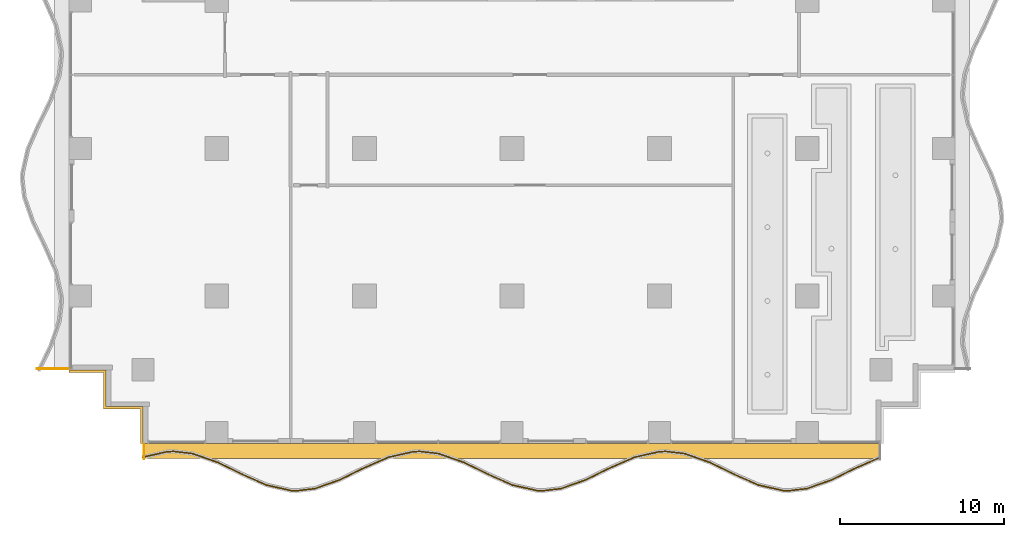
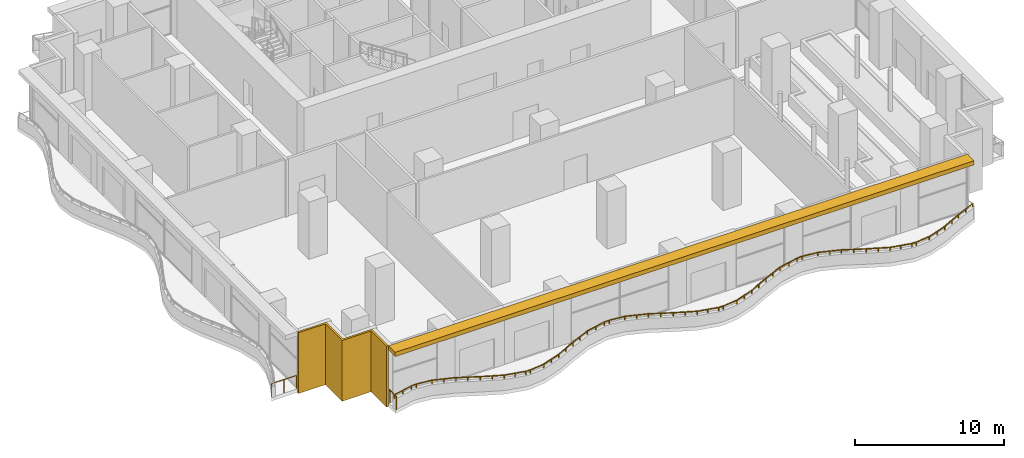
# One storey, part 11 of 18: 3 railings, 2 shading devices.
"""IFC4 building model written with IfcOpenShell, lengths in metres."""

from ifc_helpers import new_model, si_unit, direction, frame, origin, origin_2d, place, context, subcontext, project, spatial, polyline, rectangle, outline, extrude, material, layer, layer_set, type_object, element, save


model = new_model("IFC4")

# Units and contexts
model_context = context("Model", 3, precision=1e-05, world=origin(), true_north=direction((0.0, 1.0)))
body_context = subcontext(model_context, "Body", "Model", "MODEL_VIEW")
ifc_project = project(units=[si_unit("LENGTHUNIT", "METRE"), si_unit("AREAUNIT", "SQUARE_METRE"), si_unit("VOLUMEUNIT", "CUBIC_METRE"), si_unit("PLANEANGLEUNIT", "RADIAN"), si_unit("MASSUNIT", "GRAM", prefix="KILO")], contexts=[model_context])

# Site, building, storey
site_placement = place(None, origin())
site = spatial("IfcSite", under=ifc_project, at=site_placement, CompositionType="ELEMENT")
building_placement = place(site_placement, origin())
building = spatial("IfcBuilding", under=site, at=building_placement, Name="Orbiselva Terraces", CompositionType="ELEMENT")
storey_placement = place(building_placement, frame((0.0, 0.0, 64.4)))
storey = spatial("IfcBuildingStorey", under=building, at=storey_placement, Name="L16", CompositionType="ELEMENT", Elevation=64.4)

# Railings
ifc_material_1 = material(Name="Bonded two-ply safety glass balustrade, stainless steel posts", Category="steel")
railing_type_1 = type_object("IfcRailingType", Name="ENV-BALUSTRADE-1200", PredefinedType="BALUSTRADE", material=ifc_material_1)
railing_1_placement = place(storey_placement, frame((-22.527377, -23.329507, 0.9)))
element("IfcRailing", 1, at=railing_1_placement, inside=storey, type_object=railing_type_1, Name="Balcony balustrade L16 S", PredefinedType="BALUSTRADE", context=body_context, shape_type="SweptSolid", body=[
    extrude(outline(polyline([(0.028868, 0.0), (0.014434, 0.025), (-0.014434, 0.025), (-0.028868, 0.0), (-0.014434, -0.025), (0.014434, -0.025), (0.028868, 0.0)])), frame((0.0, 0.0, 0.275), z_axis=(0.97572138316, 0.219015484484, 0.0), x_axis=(-0.219015484484, 0.97572138316, 0.0)), (0.0, 0.0, 1.0), 1.548694),
    extrude(outline(polyline([(0.028868, 0.0), (0.014434, 0.025), (-0.014434, 0.025), (-0.028868, 0.0), (-0.014434, -0.025), (0.014434, -0.025), (0.028868, 0.0)])), frame((1.511094, 0.339188, 0.275), z_axis=(0.999224734286, 0.03936915532, 0.0), x_axis=(-0.03936915532, 0.999224734286, 0.0)), (0.0, 0.0, 1.0), 0.396376),
    extrude(outline(polyline([(0.028868, 0.0), (0.014434, 0.025), (-0.014434, 0.025), (-0.028868, 0.0), (-0.014434, -0.025), (0.014434, -0.025), (0.028868, 0.0)])), frame((1.907163, 0.354793, 0.275), z_axis=(0.993309551734, -0.115482182324, 0.0), x_axis=(0.115482182324, 0.993309551734, 0.0)), (0.0, 0.0, 1.0), 1.156135),
    extrude(outline(polyline([(0.028868, 0.0), (0.014434, 0.025), (-0.014434, 0.025), (-0.028868, 0.0), (-0.014434, -0.025), (0.014434, -0.025), (0.028868, 0.0)])), frame((3.055563, 0.22128, 0.275), z_axis=(0.943972332783, -0.330024597479, 0.0), x_axis=(0.330024597479, 0.943972332783, 0.0)), (0.0, 0.0, 1.0), 1.610253),
    extrude(outline(polyline([(0.028868, 0.0), (0.014434, 0.025), (-0.014434, 0.025), (-0.028868, 0.0), (-0.014434, -0.025), (0.014434, -0.025), (0.028868, 0.0)])), frame((4.575597, -0.310143, 0.275), z_axis=(0.898578870221, -0.438812048596, 0.0), x_axis=(0.438812048596, 0.898578870221, 0.0)), (0.0, 0.0, 1.0), 1.674225),
    extrude(outline(polyline([(0.028868, 0.0), (0.014434, 0.025), (-0.014434, 0.025), (-0.028868, 0.0), (-0.014434, -0.025), (0.014434, -0.025), (0.028868, 0.0)])), frame((6.08002, -1.044813, 0.275), z_axis=(0.915133363686, -0.403151245402, 0.0), x_axis=(0.403151245402, 0.915133363686, 0.0)), (0.0, 0.0, 1.0), 1.624475),
    extrude(outline(polyline([(0.028868, 0.0), (0.014434, 0.025), (-0.014434, 0.025), (-0.028868, 0.0), (-0.014434, -0.025), (0.014434, -0.025), (0.028868, 0.0)])), frame((7.566631, -1.699722, 0.275), z_axis=(0.975721325753, -0.219015740235, 0.0), x_axis=(0.219015740235, 0.975721325753, 0.0)), (0.0, 0.0, 1.0), 1.513782),
    extrude(outline(polyline([(0.028868, 0.0), (0.014434, 0.025), (-0.014434, 0.025), (-0.028868, 0.0), (-0.014434, -0.025), (0.014434, -0.025), (0.028868, 0.0)])), frame((9.04366, -2.031264, 0.275), z_axis=(0.999224931454, -0.039364150694, 0.0), x_axis=(0.039364150694, 0.999224931454, 0.0)), (0.0, 0.0, 1.0), 0.354206),
    extrude(outline(polyline([(0.028868, 0.0), (0.014434, 0.025), (-0.014434, 0.025), (-0.028868, 0.0), (-0.014434, -0.025), (0.014434, -0.025), (0.028868, 0.0)])), frame((9.397591, -2.045207, 0.275), z_axis=(0.993309658409, 0.115481264762, 0.0), x_axis=(-0.115481264762, 0.993309658409, 0.0)), (0.0, 0.0, 1.0), 1.10902),
    extrude(outline(polyline([(0.028868, 0.0), (0.014434, 0.025), (-0.014434, 0.025), (-0.028868, 0.0), (-0.014434, -0.025), (0.014434, -0.025), (0.028868, 0.0)])), frame((10.499191, -1.917136, 0.275), z_axis=(0.943972277814, 0.330024754707, 0.0), x_axis=(-0.330024754707, 0.943972277814, 0.0)), (0.0, 0.0, 1.0), 1.567807),
    extrude(outline(polyline([(0.028868, 0.0), (0.014434, 0.025), (-0.014434, 0.025), (-0.028868, 0.0), (-0.014434, -0.025), (0.014434, -0.025), (0.028868, 0.0)])), frame((11.979157, -1.399721, 0.275), z_axis=(0.89857890432, 0.438811978768, 0.0), x_axis=(-0.438811978768, 0.89857890432, 0.0)), (0.0, 0.0, 1.0), 1.66438),
    extrude(outline(polyline([(0.028868, 0.0), (0.014434, 0.025), (-0.014434, 0.025), (-0.028868, 0.0), (-0.014434, -0.025), (0.014434, -0.025), (0.028868, 0.0)])), frame((13.474734, -0.669371, 0.275), z_axis=(0.915133527237, 0.403150874148, 0.0), x_axis=(-0.403150874148, 0.915133527237, 0.0)), (0.0, 0.0, 1.0), 1.653736),
    extrude(outline(polyline([(0.028868, 0.0), (0.014434, 0.025), (-0.014434, 0.025), (-0.028868, 0.0), (-0.014434, -0.025), (0.014434, -0.025), (0.028868, 0.0)])), frame((14.988123, -0.002666, 0.275), z_axis=(0.97572137947, 0.219015500924, 0.0), x_axis=(-0.219015500924, 0.97572137947, 0.0)), (0.0, 0.0, 1.0), 1.560867),
    extrude(outline(polyline([(0.028868, 0.0), (0.014434, 0.025), (-0.014434, 0.025), (-0.028868, 0.0), (-0.014434, -0.025), (0.014434, -0.025), (0.028868, 0.0)])), frame((16.511094, 0.339188, 0.275), z_axis=(0.999224734286, 0.03936915532, 0.0), x_axis=(-0.03936915532, 0.999224734286, 0.0)), (0.0, 0.0, 1.0), 0.396376),
    extrude(outline(polyline([(0.028868, 0.0), (0.014434, 0.025), (-0.014434, 0.025), (-0.028868, 0.0), (-0.014434, -0.025), (0.014434, -0.025), (0.028868, 0.0)])), frame((16.907163, 0.354793, 0.275), z_axis=(0.993309551734, -0.115482182324, 0.0), x_axis=(0.115482182324, 0.993309551734, 0.0)), (0.0, 0.0, 1.0), 1.156135),
    extrude(outline(polyline([(0.028868, 0.0), (0.014434, 0.025), (-0.014434, 0.025), (-0.028868, 0.0), (-0.014434, -0.025), (0.014434, -0.025), (0.028868, 0.0)])), frame((18.055563, 0.22128, 0.275), z_axis=(0.943972332783, -0.330024597479, 0.0), x_axis=(0.330024597479, 0.943972332783, 0.0)), (0.0, 0.0, 1.0), 1.610253),
    extrude(outline(polyline([(0.028868, 0.0), (0.014434, 0.025), (-0.014434, 0.025), (-0.028868, 0.0), (-0.014434, -0.025), (0.014434, -0.025), (0.028868, 0.0)])), frame((19.575597, -0.310143, 0.275), z_axis=(0.898578870221, -0.438812048596, 0.0), x_axis=(0.438812048596, 0.898578870221, 0.0)), (0.0, 0.0, 1.0), 1.674225),
    extrude(outline(polyline([(0.028868, 0.0), (0.014434, 0.025), (-0.014434, 0.025), (-0.028868, 0.0), (-0.014434, -0.025), (0.014434, -0.025), (0.028868, 0.0)])), frame((21.08002, -1.044813, 0.275), z_axis=(0.915133363686, -0.403151245402, 0.0), x_axis=(0.403151245402, 0.915133363686, 0.0)), (0.0, 0.0, 1.0), 1.624475),
    extrude(outline(polyline([(0.028868, 0.0), (0.014434, 0.025), (-0.014434, 0.025), (-0.028868, 0.0), (-0.014434, -0.025), (0.014434, -0.025), (0.028868, 0.0)])), frame((22.566631, -1.699722, 0.275), z_axis=(0.975721325753, -0.219015740235, 0.0), x_axis=(0.219015740235, 0.975721325753, 0.0)), (0.0, 0.0, 1.0), 1.513782),
    extrude(outline(polyline([(0.028868, 0.0), (0.014434, 0.025), (-0.014434, 0.025), (-0.028868, 0.0), (-0.014434, -0.025), (0.014434, -0.025), (0.028868, 0.0)])), frame((24.04366, -2.031264, 0.275), z_axis=(0.999224931454, -0.039364150694, 0.0), x_axis=(0.039364150694, 0.999224931454, 0.0)), (0.0, 0.0, 1.0), 0.354206),
    extrude(outline(polyline([(0.028868, 0.0), (0.014434, 0.025), (-0.014434, 0.025), (-0.028868, 0.0), (-0.014434, -0.025), (0.014434, -0.025), (0.028868, 0.0)])), frame((24.397591, -2.045207, 0.275), z_axis=(0.993309658409, 0.115481264762, 0.0), x_axis=(-0.115481264762, 0.993309658409, 0.0)), (0.0, 0.0, 1.0), 1.10902),
    extrude(outline(polyline([(0.028868, 0.0), (0.014434, 0.025), (-0.014434, 0.025), (-0.028868, 0.0), (-0.014434, -0.025), (0.014434, -0.025), (0.028868, 0.0)])), frame((25.499191, -1.917136, 0.275), z_axis=(0.943972277814, 0.330024754707, 0.0), x_axis=(-0.330024754707, 0.943972277814, 0.0)), (0.0, 0.0, 1.0), 1.567807),
    extrude(outline(polyline([(0.028868, 0.0), (0.014434, 0.025), (-0.014434, 0.025), (-0.028868, 0.0), (-0.014434, -0.025), (0.014434, -0.025), (0.028868, 0.0)])), frame((26.979157, -1.399721, 0.275), z_axis=(0.89857890432, 0.438811978768, 0.0), x_axis=(-0.438811978768, 0.89857890432, 0.0)), (0.0, 0.0, 1.0), 1.66438),
    extrude(outline(polyline([(0.028868, 0.0), (0.014434, 0.025), (-0.014434, 0.025), (-0.028868, 0.0), (-0.014434, -0.025), (0.014434, -0.025), (0.028868, 0.0)])), frame((28.474734, -0.669371, 0.275), z_axis=(0.915133527237, 0.403150874148, 0.0), x_axis=(-0.403150874148, 0.915133527237, 0.0)), (0.0, 0.0, 1.0), 1.653736),
    extrude(outline(polyline([(0.028868, 0.0), (0.014434, 0.025), (-0.014434, 0.025), (-0.028868, 0.0), (-0.014434, -0.025), (0.014434, -0.025), (0.028868, 0.0)])), frame((29.988123, -0.002666, 0.275), z_axis=(0.97572137947, 0.219015500924, 0.0), x_axis=(-0.219015500924, 0.97572137947, 0.0)), (0.0, 0.0, 1.0), 1.560867),
    extrude(outline(polyline([(0.028868, 0.0), (0.014434, 0.025), (-0.014434, 0.025), (-0.028868, 0.0), (-0.014434, -0.025), (0.014434, -0.025), (0.028868, 0.0)])), frame((31.511094, 0.339188, 0.275), z_axis=(0.999224734286, 0.03936915532, 0.0), x_axis=(-0.03936915532, 0.999224734286, 0.0)), (0.0, 0.0, 1.0), 0.396376),
    extrude(outline(polyline([(0.028868, 0.0), (0.014434, 0.025), (-0.014434, 0.025), (-0.028868, 0.0), (-0.014434, -0.025), (0.014434, -0.025), (0.028868, 0.0)])), frame((31.907163, 0.354793, 0.275), z_axis=(0.993309551734, -0.115482182324, 0.0), x_axis=(0.115482182324, 0.993309551734, 0.0)), (0.0, 0.0, 1.0), 1.156135),
    extrude(outline(polyline([(0.028868, 0.0), (0.014434, 0.025), (-0.014434, 0.025), (-0.028868, 0.0), (-0.014434, -0.025), (0.014434, -0.025), (0.028868, 0.0)])), frame((33.055563, 0.22128, 0.275), z_axis=(0.943972332783, -0.330024597479, 0.0), x_axis=(0.330024597479, 0.943972332783, 0.0)), (0.0, 0.0, 1.0), 1.610253),
    extrude(outline(polyline([(0.028868, 0.0), (0.014434, 0.025), (-0.014434, 0.025), (-0.028868, 0.0), (-0.014434, -0.025), (0.014434, -0.025), (0.028868, 0.0)])), frame((34.575597, -0.310143, 0.275), z_axis=(0.898578870221, -0.438812048596, 0.0), x_axis=(0.438812048596, 0.898578870221, 0.0)), (0.0, 0.0, 1.0), 1.674225),
    extrude(outline(polyline([(0.028868, 0.0), (0.014434, 0.025), (-0.014434, 0.025), (-0.028868, 0.0), (-0.014434, -0.025), (0.014434, -0.025), (0.028868, 0.0)])), frame((36.08002, -1.044813, 0.275), z_axis=(0.915133363686, -0.403151245402, 0.0), x_axis=(0.403151245402, 0.915133363686, 0.0)), (0.0, 0.0, 1.0), 1.624475),
    extrude(outline(polyline([(0.028868, 0.0), (0.014434, 0.025), (-0.014434, 0.025), (-0.028868, 0.0), (-0.014434, -0.025), (0.014434, -0.025), (0.028868, 0.0)])), frame((37.566631, -1.699722, 0.275), z_axis=(0.975721325753, -0.219015740235, 0.0), x_axis=(0.219015740235, 0.975721325753, 0.0)), (0.0, 0.0, 1.0), 1.513782),
    extrude(outline(polyline([(0.028868, 0.0), (0.014434, 0.025), (-0.014434, 0.025), (-0.028868, 0.0), (-0.014434, -0.025), (0.014434, -0.025), (0.028868, 0.0)])), frame((39.04366, -2.031264, 0.275), z_axis=(0.999224931454, -0.039364150694, 0.0), x_axis=(0.039364150694, 0.999224931454, 0.0)), (0.0, 0.0, 1.0), 0.354206),
    extrude(outline(polyline([(0.028868, 0.0), (0.014434, 0.025), (-0.014434, 0.025), (-0.028868, 0.0), (-0.014434, -0.025), (0.014434, -0.025), (0.028868, 0.0)])), frame((39.397591, -2.045207, 0.275), z_axis=(0.993309658409, 0.115481264762, 0.0), x_axis=(-0.115481264762, 0.993309658409, 0.0)), (0.0, 0.0, 1.0), 1.10902),
    extrude(outline(polyline([(0.028868, 0.0), (0.014434, 0.025), (-0.014434, 0.025), (-0.028868, 0.0), (-0.014434, -0.025), (0.014434, -0.025), (0.028868, 0.0)])), frame((40.499191, -1.917136, 0.275), z_axis=(0.943972277814, 0.330024754707, 0.0), x_axis=(-0.330024754707, 0.943972277814, 0.0)), (0.0, 0.0, 1.0), 1.567807),
    extrude(outline(polyline([(0.028868, 0.0), (0.014434, 0.025), (-0.014434, 0.025), (-0.028868, 0.0), (-0.014434, -0.025), (0.014434, -0.025), (0.028868, 0.0)])), frame((41.979157, -1.399721, 0.275), z_axis=(0.89857890432, 0.438811978768, 0.0), x_axis=(-0.438811978768, 0.89857890432, 0.0)), (0.0, 0.0, 1.0), 1.66438),
    extrude(outline(polyline([(0.028868, 0.0), (0.014434, 0.025), (-0.014434, 0.025), (-0.028868, 0.0), (-0.014434, -0.025), (0.014434, -0.025), (0.028868, 0.0)])), frame((43.474734, -0.669371, 0.275), z_axis=(0.915133394491, 0.403151175476, 0.0), x_axis=(-0.403151175476, 0.915133394491, 0.0)), (0.0, 0.0, 1.0), 1.641563),
    extrude(rectangle(XDim=0.05, YDim=0.05, at=origin_2d()), origin(), (0.0, 0.0, 1.0), 0.25),
    extrude(rectangle(XDim=0.05, YDim=0.05, at=origin_2d()), frame((0.755547, 0.169594, 0.0)), (0.0, 0.0, 1.0), 0.25),
    extrude(rectangle(XDim=0.05, YDim=0.05, at=origin_2d()), frame((1.511094, 0.339188, 0.0)), (0.0, 0.0, 1.0), 0.25),
    extrude(rectangle(XDim=0.05, YDim=0.05, at=origin_2d()), frame((1.907163, 0.354793, 0.0)), (0.0, 0.0, 1.0), 0.25),
    extrude(rectangle(XDim=0.05, YDim=0.05, at=origin_2d()), frame((3.055563, 0.22128, 0.0)), (0.0, 0.0, 1.0), 0.25),
    extrude(rectangle(XDim=0.05, YDim=0.05, at=origin_2d()), frame((3.81558, -0.044431, 0.0)), (0.0, 0.0, 1.0), 0.25),
    extrude(rectangle(XDim=0.05, YDim=0.05, at=origin_2d()), frame((4.575597, -0.310143, 0.0)), (0.0, 0.0, 1.0), 0.25),
    extrude(rectangle(XDim=0.05, YDim=0.05, at=origin_2d()), frame((5.327809, -0.677478, 0.0)), (0.0, 0.0, 1.0), 0.25),
    extrude(rectangle(XDim=0.05, YDim=0.05, at=origin_2d()), frame((6.08002, -1.044813, 0.0)), (0.0, 0.0, 1.0), 0.25),
    extrude(rectangle(XDim=0.05, YDim=0.05, at=origin_2d()), frame((6.823326, -1.372268, 0.0)), (0.0, 0.0, 1.0), 0.25),
    extrude(rectangle(XDim=0.05, YDim=0.05, at=origin_2d()), frame((7.566631, -1.699722, 0.0)), (0.0, 0.0, 1.0), 0.25),
    extrude(rectangle(XDim=0.05, YDim=0.05, at=origin_2d()), frame((8.305146, -1.865493, 0.0)), (0.0, 0.0, 1.0), 0.25),
    extrude(rectangle(XDim=0.05, YDim=0.05, at=origin_2d()), frame((9.04366, -2.031264, 0.0)), (0.0, 0.0, 1.0), 0.25),
    extrude(rectangle(XDim=0.05, YDim=0.05, at=origin_2d()), frame((9.397591, -2.045207, 0.0)), (0.0, 0.0, 1.0), 0.25),
    extrude(rectangle(XDim=0.05, YDim=0.05, at=origin_2d()), frame((10.499191, -1.917136, 0.0)), (0.0, 0.0, 1.0), 0.25),
    extrude(rectangle(XDim=0.05, YDim=0.05, at=origin_2d()), frame((11.239174, -1.658428, 0.0)), (0.0, 0.0, 1.0), 0.25),
    extrude(rectangle(XDim=0.05, YDim=0.05, at=origin_2d()), frame((11.979157, -1.399721, 0.0)), (0.0, 0.0, 1.0), 0.25),
    extrude(rectangle(XDim=0.05, YDim=0.05, at=origin_2d()), frame((12.726946, -1.034546, 0.0)), (0.0, 0.0, 1.0), 0.25),
    extrude(rectangle(XDim=0.05, YDim=0.05, at=origin_2d()), frame((13.474734, -0.669371, 0.0)), (0.0, 0.0, 1.0), 0.25),
    extrude(rectangle(XDim=0.05, YDim=0.05, at=origin_2d()), frame((14.231429, -0.336019, 0.0)), (0.0, 0.0, 1.0), 0.25),
    extrude(rectangle(XDim=0.05, YDim=0.05, at=origin_2d()), frame((14.988123, -0.002666, 0.0)), (0.0, 0.0, 1.0), 0.25),
    extrude(rectangle(XDim=0.05, YDim=0.05, at=origin_2d()), frame((15.749608, 0.168261, 0.0)), (0.0, 0.0, 1.0), 0.25),
    extrude(rectangle(XDim=0.05, YDim=0.05, at=origin_2d()), frame((16.511094, 0.339188, 0.0)), (0.0, 0.0, 1.0), 0.25),
    extrude(rectangle(XDim=0.05, YDim=0.05, at=origin_2d()), frame((16.907163, 0.354793, 0.0)), (0.0, 0.0, 1.0), 0.25),
    extrude(rectangle(XDim=0.05, YDim=0.05, at=origin_2d()), frame((18.055563, 0.22128, 0.0)), (0.0, 0.0, 1.0), 0.25),
    extrude(rectangle(XDim=0.05, YDim=0.05, at=origin_2d()), frame((18.81558, -0.044431, 0.0)), (0.0, 0.0, 1.0), 0.25),
    extrude(rectangle(XDim=0.05, YDim=0.05, at=origin_2d()), frame((19.575597, -0.310143, 0.0)), (0.0, 0.0, 1.0), 0.25),
    extrude(rectangle(XDim=0.05, YDim=0.05, at=origin_2d()), frame((20.327809, -0.677478, 0.0)), (0.0, 0.0, 1.0), 0.25),
    extrude(rectangle(XDim=0.05, YDim=0.05, at=origin_2d()), frame((21.08002, -1.044813, 0.0)), (0.0, 0.0, 1.0), 0.25),
    extrude(rectangle(XDim=0.05, YDim=0.05, at=origin_2d()), frame((21.823326, -1.372268, 0.0)), (0.0, 0.0, 1.0), 0.25),
    extrude(rectangle(XDim=0.05, YDim=0.05, at=origin_2d()), frame((22.566631, -1.699722, 0.0)), (0.0, 0.0, 1.0), 0.25),
    extrude(rectangle(XDim=0.05, YDim=0.05, at=origin_2d()), frame((23.305146, -1.865493, 0.0)), (0.0, 0.0, 1.0), 0.25),
    extrude(rectangle(XDim=0.05, YDim=0.05, at=origin_2d()), frame((24.04366, -2.031264, 0.0)), (0.0, 0.0, 1.0), 0.25),
    extrude(rectangle(XDim=0.05, YDim=0.05, at=origin_2d()), frame((24.397591, -2.045207, 0.0)), (0.0, 0.0, 1.0), 0.25),
    extrude(rectangle(XDim=0.05, YDim=0.05, at=origin_2d()), frame((25.499191, -1.917136, 0.0)), (0.0, 0.0, 1.0), 0.25),
    extrude(rectangle(XDim=0.05, YDim=0.05, at=origin_2d()), frame((26.239174, -1.658428, 0.0)), (0.0, 0.0, 1.0), 0.25),
    extrude(rectangle(XDim=0.05, YDim=0.05, at=origin_2d()), frame((26.979157, -1.399721, 0.0)), (0.0, 0.0, 1.0), 0.25),
    extrude(rectangle(XDim=0.05, YDim=0.05, at=origin_2d()), frame((27.726946, -1.034546, 0.0)), (0.0, 0.0, 1.0), 0.25),
    extrude(rectangle(XDim=0.05, YDim=0.05, at=origin_2d()), frame((28.474734, -0.669371, 0.0)), (0.0, 0.0, 1.0), 0.25),
    extrude(rectangle(XDim=0.05, YDim=0.05, at=origin_2d()), frame((29.231428, -0.336019, 0.0)), (0.0, 0.0, 1.0), 0.25),
    extrude(rectangle(XDim=0.05, YDim=0.05, at=origin_2d()), frame((29.988123, -0.002666, 0.0)), (0.0, 0.0, 1.0), 0.25),
    extrude(rectangle(XDim=0.05, YDim=0.05, at=origin_2d()), frame((30.749608, 0.168261, 0.0)), (0.0, 0.0, 1.0), 0.25),
    extrude(rectangle(XDim=0.05, YDim=0.05, at=origin_2d()), frame((31.511094, 0.339188, 0.0)), (0.0, 0.0, 1.0), 0.25),
    extrude(rectangle(XDim=0.05, YDim=0.05, at=origin_2d()), frame((31.907163, 0.354793, 0.0)), (0.0, 0.0, 1.0), 0.25),
    extrude(rectangle(XDim=0.05, YDim=0.05, at=origin_2d()), frame((33.055563, 0.22128, 0.0)), (0.0, 0.0, 1.0), 0.25),
    extrude(rectangle(XDim=0.05, YDim=0.05, at=origin_2d()), frame((33.81558, -0.044431, 0.0)), (0.0, 0.0, 1.0), 0.25),
    extrude(rectangle(XDim=0.05, YDim=0.05, at=origin_2d()), frame((34.575597, -0.310143, 0.0)), (0.0, 0.0, 1.0), 0.25),
    extrude(rectangle(XDim=0.05, YDim=0.05, at=origin_2d()), frame((35.327808, -0.677478, 0.0)), (0.0, 0.0, 1.0), 0.25),
    extrude(rectangle(XDim=0.05, YDim=0.05, at=origin_2d()), frame((36.08002, -1.044813, 0.0)), (0.0, 0.0, 1.0), 0.25),
    extrude(rectangle(XDim=0.05, YDim=0.05, at=origin_2d()), frame((36.823326, -1.372268, 0.0)), (0.0, 0.0, 1.0), 0.25),
    extrude(rectangle(XDim=0.05, YDim=0.05, at=origin_2d()), frame((37.566631, -1.699722, 0.0)), (0.0, 0.0, 1.0), 0.25),
    extrude(rectangle(XDim=0.05, YDim=0.05, at=origin_2d()), frame((38.305146, -1.865493, 0.0)), (0.0, 0.0, 1.0), 0.25),
    extrude(rectangle(XDim=0.05, YDim=0.05, at=origin_2d()), frame((39.04366, -2.031264, 0.0)), (0.0, 0.0, 1.0), 0.25),
    extrude(rectangle(XDim=0.05, YDim=0.05, at=origin_2d()), frame((39.397591, -2.045207, 0.0)), (0.0, 0.0, 1.0), 0.25),
    extrude(rectangle(XDim=0.05, YDim=0.05, at=origin_2d()), frame((40.499191, -1.917136, 0.0)), (0.0, 0.0, 1.0), 0.25),
    extrude(rectangle(XDim=0.05, YDim=0.05, at=origin_2d()), frame((41.239174, -1.658428, 0.0)), (0.0, 0.0, 1.0), 0.25),
    extrude(rectangle(XDim=0.05, YDim=0.05, at=origin_2d()), frame((41.979157, -1.399721, 0.0)), (0.0, 0.0, 1.0), 0.25),
    extrude(rectangle(XDim=0.05, YDim=0.05, at=origin_2d()), frame((42.726946, -1.034546, 0.0)), (0.0, 0.0, 1.0), 0.25),
    extrude(rectangle(XDim=0.05, YDim=0.05, at=origin_2d()), frame((43.474734, -0.669371, 0.0)), (0.0, 0.0, 1.0), 0.25),
    extrude(rectangle(XDim=0.05, YDim=0.05, at=origin_2d()), frame((44.225858, -0.338472, 0.0)), (0.0, 0.0, 1.0), 0.25),
    extrude(rectangle(XDim=0.05, YDim=0.05, at=origin_2d()), frame((44.976983, -0.007573, 0.0)), (0.0, 0.0, 1.0), 0.25),
])
ifc_material_2 = material(Name="Stainless steel rail and posts", Category="steel")
railing_type_2 = type_object("IfcRailingType", Name="ENV-GUARD-1105", PredefinedType="BALUSTRADE", material=ifc_material_2)
railing_2_placement = place(storey_placement, frame((-22.44, -23.430416, 0.0)))
element("IfcRailing", 2, at=railing_2_placement, inside=storey, type_object=railing_type_2, Name="Balcony end guard L16 S", PredefinedType="BALUSTRADE", context=body_context, shape_type="SweptSolid", body=[
    extrude(outline(polyline([(0.028868, 0.0), (0.014434, 0.025), (-0.014434, 0.025), (-0.028868, 0.0), (-0.014434, -0.025), (0.014434, -0.025), (0.028868, 0.0)])), frame((0.0, 0.0, 1.08), z_axis=(0.0, 1.0, 0.0), x_axis=(-1.0, 0.0, 0.0)), (0.0, 0.0, 1.0), 0.905416),
    extrude(rectangle(XDim=0.05, YDim=0.05, at=origin_2d()), origin(), (0.0, 0.0, 1.0), 1.055),
    extrude(rectangle(XDim=0.05, YDim=0.05, at=origin_2d()), frame((0.0, 0.905416, 0.0)), (0.0, 0.0, 1.0), 1.055),
])
railing_3_placement = place(storey_placement, frame((-28.957877, -17.94, 0.0)))
element("IfcRailing", 3, at=railing_3_placement, inside=storey, type_object=railing_type_2, Name="Balcony end guard L16 W", PredefinedType="BALUSTRADE", context=body_context, shape_type="SweptSolid", body=[
    extrude(outline(polyline([(0.028868, 0.0), (0.014434, 0.025), (-0.014434, 0.025), (-0.028868, 0.0), (-0.014434, -0.025), (0.014434, -0.025), (0.028868, 0.0)])), frame((0.0, 0.0, 1.08), z_axis=(1.0, 0.0, 0.0), x_axis=(0.0, 1.0, 0.0)), (0.0, 0.0, 1.0), 1.932877),
    extrude(rectangle(XDim=0.05, YDim=0.05, at=origin_2d()), origin(), (0.0, 0.0, 1.0), 1.055),
    extrude(rectangle(XDim=0.05, YDim=0.05, at=origin_2d()), frame((0.966439, 0.0, 0.0)), (0.0, 0.0, 1.0), 1.055),
    extrude(rectangle(XDim=0.05, YDim=0.05, at=origin_2d()), frame((1.932877, 0.0, 0.0)), (0.0, 0.0, 1.0), 1.055),
])

# Shading devices
ifc_material_3 = material(Name="Terracotta louvre screen", Category="masonry")
ifc_layer_1 = layer(ifc_material_3, 0.15)
ifc_layer_set_1 = layer_set([ifc_layer_1], Name="Terracotta louvre screen")
shading_device_type_1 = type_object("IfcShadingDeviceType", Name="ENV-SCREEN-150", PredefinedType="USERDEFINED", material=ifc_layer_set_1)
shading_device_1_placement = place(storey_placement, frame((0.0, 0.0, -0.3)))
element("IfcShadingDevice", 4, at=shading_device_1_placement, inside=storey, type_object=shading_device_type_1, Name="Louvre screen L16 SW", ObjectType="SCREEN", PredefinedType="USERDEFINED", context=body_context, shape_type="SweptSolid", body=[
    extrude(outline(polyline([(-27.0, -18.15), (-24.9, -18.15), (-24.9, -20.4), (-22.65, -20.4), (-22.65, -22.5), (-22.5, -22.5), (-22.5, -20.25), (-24.75, -20.25), (-24.75, -18.0), (-27.0, -18.0), (-27.0, -18.15)])), origin(), (0.0, 0.0, 1.0), 5.0),
])
ifc_material_4 = material(Name="Terracotta baguette sunshade", Category="masonry")
ifc_layer_2 = layer(ifc_material_4, 0.35)
ifc_layer_set_2 = layer_set([ifc_layer_2], Name="Terracotta baguette sunshade")
shading_device_type_2 = type_object("IfcShadingDeviceType", Name="ENV-SUNSHADE-900x350", PredefinedType="USERDEFINED", material=ifc_layer_set_2)
shading_device_2_placement = place(storey_placement, frame((0.0, 0.0, 4.35)))
element("IfcShadingDevice", 5, at=shading_device_2_placement, inside=storey, type_object=shading_device_type_2, Name="Sunshade band L16 S", ObjectType="SUNSHADE", PredefinedType="USERDEFINED", context=body_context, shape_type="SweptSolid", body=[
    extrude(outline(polyline([(-22.5, -23.4), (22.5, -23.4), (22.5, -22.5), (-22.5, -22.5), (-22.5, -23.4)])), origin(), (0.0, 0.0, 1.0), 0.35),
])

save(model, "model.ifc")
